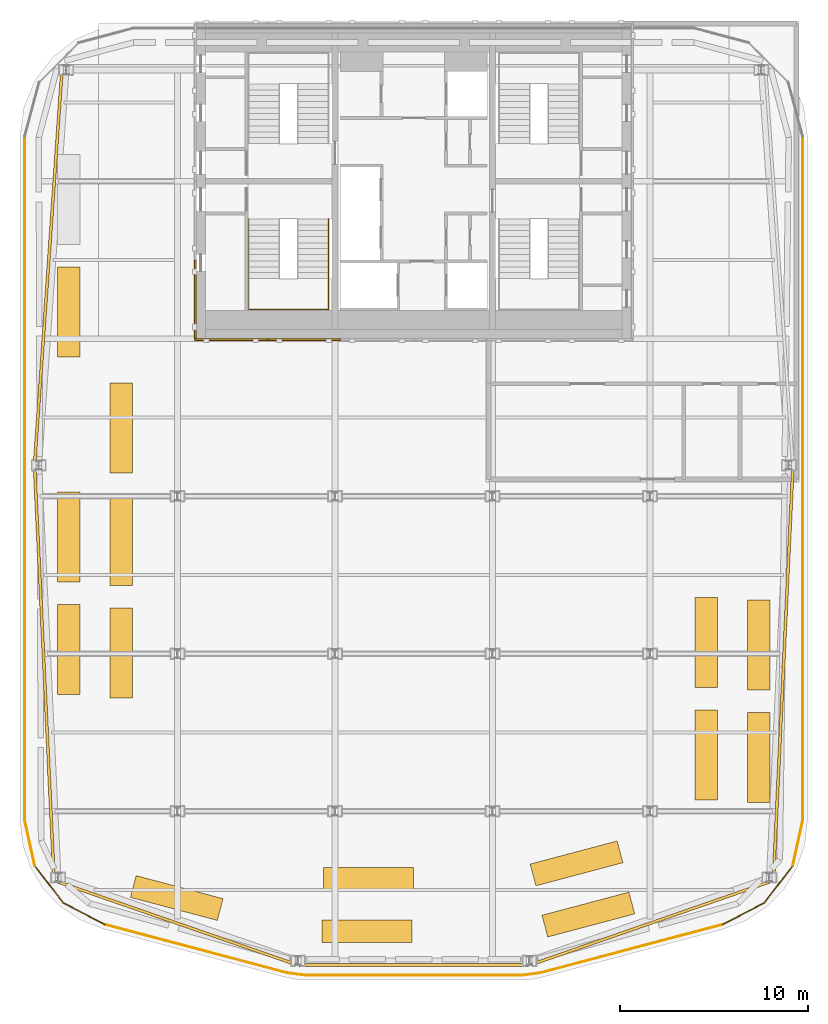
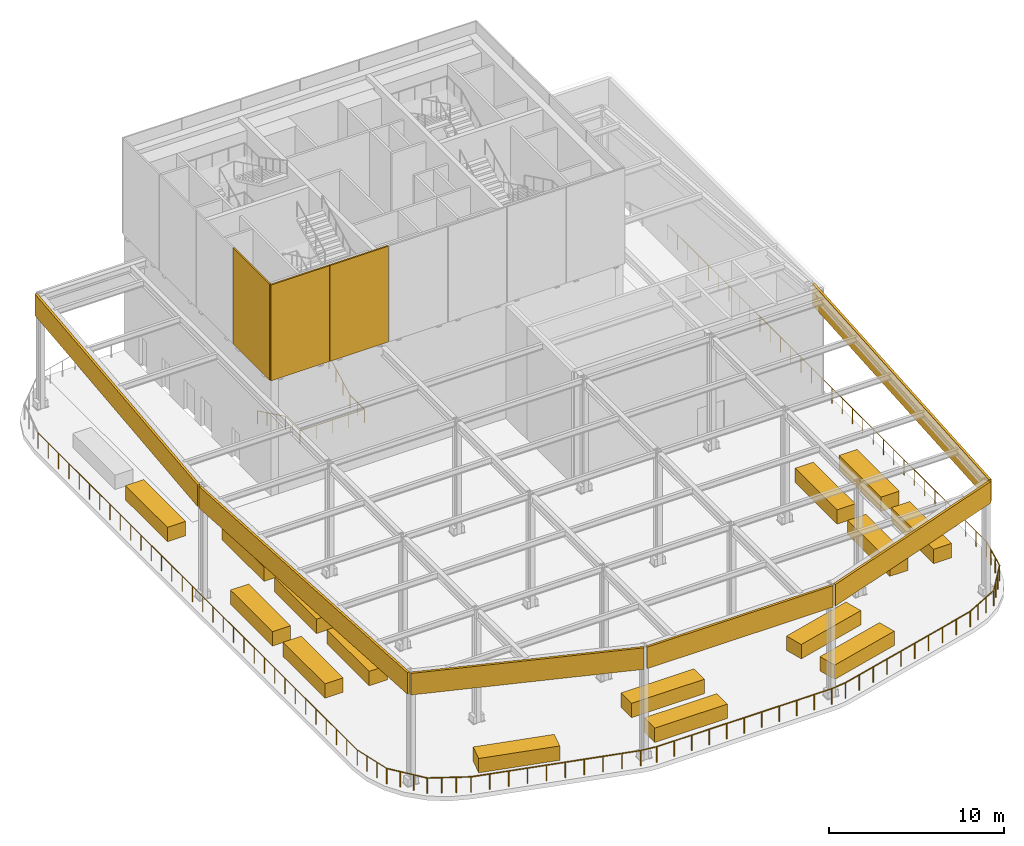
# One storey, part 10 of 14: 18 coverings, 14 railings, 6 shading devices.
"""IFC4 building model written with IfcOpenShell, lengths in metres."""

from ifc_helpers import new_model, si_unit, direction, frame, origin, origin_2d, place, context, subcontext, project, spatial, rectangle, circle, extrude, material, layer, layer_set, type_object, element, save


model = new_model("IFC4")

# Units and contexts
model_context = context("Model", 3, precision=1e-05, world=origin(), true_north=direction((0.0, 1.0)))
body_context = subcontext(model_context, "Body", "Model", "MODEL_VIEW")
ifc_project = project(units=[si_unit("LENGTHUNIT", "METRE"), si_unit("AREAUNIT", "SQUARE_METRE"), si_unit("VOLUMEUNIT", "CUBIC_METRE"), si_unit("PLANEANGLEUNIT", "RADIAN"), si_unit("MASSUNIT", "GRAM", prefix="KILO")], contexts=[model_context])

# Site, building, storey
site_placement = place(None, origin())
site = spatial("IfcSite", under=ifc_project, at=site_placement, CompositionType="ELEMENT")
building_placement = place(site_placement, origin())
building = spatial("IfcBuilding", under=site, at=building_placement, Name="Marenta Gate Hotel Tower", CompositionType="ELEMENT")
storey_placement = place(building_placement, frame((0.0, 0.0, 295.699951171875)))
storey = spatial("IfcBuildingStorey", under=building, at=storey_placement, Name="L67", CompositionType="ELEMENT", Elevation=295.699951171875)

# Railing
ifc_material_1 = material(Name="Stainless steel", Category="steel")
railing_type_1 = type_object("IfcRailingType", Name="Core stair handrail 950", PredefinedType="HANDRAIL", material=ifc_material_1)
railing_1_placement = place(storey_placement, frame((-8.800048828125, 6.39990234375, 0.15576171875)))
element("IfcRailing", 1, at=railing_1_placement, inside=storey, type_object=railing_type_1, Name="HR-950 L67-KR-ST1-1", PredefinedType="HANDRAIL", context=body_context, shape_type="SweptSolid", body=[
    extrude(circle(Radius=0.02392578125, at=origin_2d()), frame((0.0, 0.0, 0.92578125), z_axis=(0.0, -0.899218311435, 0.437500203862), x_axis=(1.0, 0.0, 0.0)), (0.0, 0.0, 1.0), 3.55859375),
    extrude(circle(Radius=0.02392578125, at=origin_2d()), frame((0.0, -3.199951171875, 2.48291015625), z_axis=(0.0, -1.0, 0.0), x_axis=(1.0, 0.0, 0.0)), (0.0, 0.0, 1.0), 1.64990234375),
    extrude(circle(Radius=0.02392578125, at=origin_2d()), frame((0.0, -4.849853515625, 2.48291015625), z_axis=(1.0, 0.0, 0.0), x_axis=(0.0, 1.0, 0.0)), (0.0, 0.0, 1.0), 4.25),
    extrude(circle(Radius=0.02392578125, at=origin_2d()), frame((4.25, -4.849853515625, 2.48291015625), z_axis=(0.0, 1.0, 0.0), x_axis=(-1.0, 0.0, 0.0)), (0.0, 0.0, 1.0), 1.64990234375),
    extrude(circle(Radius=0.02392578125, at=origin_2d()), frame((4.25, -3.199951171875, 2.48291015625), z_axis=(0.0, 0.881692887283, 0.471823751537), x_axis=(-1.0, 0.0, 0.0)), (0.0, 0.0, 1.0), 3.62939453125),
    extrude(circle(Radius=0.02099609375, at=origin_2d()), origin(), (0.0, 0.0, 1.0), 0.90185546875),
    extrude(circle(Radius=0.02099609375, at=origin_2d()), frame((0.0, -1.066650390625, 0.51904296875)), (0.0, 0.0, 1.0), 0.90185546875),
    extrude(circle(Radius=0.02099609375, at=origin_2d()), frame((0.0, -2.13330078125, 1.037841796875)), (0.0, 0.0, 1.0), 0.90185546875),
    extrude(circle(Radius=0.02099609375, at=origin_2d()), frame((0.0, -3.199951171875, 1.556884765625)), (0.0, 0.0, 1.0), 0.90185546875),
    extrude(circle(Radius=0.02099609375, at=origin_2d()), frame((0.0, -4.02490234375, 1.556884765625)), (0.0, 0.0, 1.0), 0.90185546875),
    extrude(circle(Radius=0.02099609375, at=origin_2d()), frame((0.0, -4.849853515625, 1.556884765625)), (0.0, 0.0, 1.0), 0.90185546875),
    extrude(circle(Radius=0.02099609375, at=origin_2d()), frame((1.0625, -4.849853515625, 1.556884765625)), (0.0, 0.0, 1.0), 0.90185546875),
    extrude(circle(Radius=0.02099609375, at=origin_2d()), frame((2.125, -4.849853515625, 1.556884765625)), (0.0, 0.0, 1.0), 0.90185546875),
    extrude(circle(Radius=0.02099609375, at=origin_2d()), frame((3.1875, -4.849853515625, 1.556884765625)), (0.0, 0.0, 1.0), 0.90185546875),
    extrude(circle(Radius=0.02099609375, at=origin_2d()), frame((4.25, -4.849853515625, 1.556884765625)), (0.0, 0.0, 1.0), 0.90185546875),
    extrude(circle(Radius=0.02099609375, at=origin_2d()), frame((4.25, -4.02490234375, 1.556884765625)), (0.0, 0.0, 1.0), 0.90185546875),
    extrude(circle(Radius=0.02099609375, at=origin_2d()), frame((4.25, -3.199951171875, 1.556884765625)), (0.0, 0.0, 1.0), 0.90185546875),
    extrude(circle(Radius=0.02099609375, at=origin_2d()), frame((4.25, -2.39990234375, 1.98486328125)), (0.0, 0.0, 1.0), 0.90185546875),
    extrude(circle(Radius=0.02099609375, at=origin_2d()), frame((4.25, -1.60009765625, 2.4130859375)), (0.0, 0.0, 1.0), 0.90185546875),
    extrude(circle(Radius=0.02099609375, at=origin_2d()), frame((4.25, -0.800048828125, 2.84130859375)), (0.0, 0.0, 1.0), 0.90185546875),
    extrude(circle(Radius=0.02099609375, at=origin_2d()), frame((4.25, 0.0, 3.269287109375)), (0.0, 0.0, 1.0), 0.90185546875),
])

# Coverings
ifc_material_2 = material(Name="Bronze anodised aluminium louvre", Category="aluminium")
ifc_layer_1 = layer(ifc_material_2, 0.10009765625)
ifc_layer_set_1 = layer_set([ifc_layer_1], Name="Bronze anodised aluminium louvre")
covering_type_1 = type_object("IfcCoveringType", Name="Core top louvre cladding panel 100 mm", PredefinedType="CLADDING", material=ifc_layer_set_1)
covering_placement = place(storey_placement, frame((-11.64990234375, 2.10009765625, 8.1201171875), z_axis=(0.0, 0.0, 1.0), x_axis=(1.0, 0.0, 0.0)))
element("IfcCovering", 2, at=covering_placement, inside=storey, type_object=covering_type_1, Name="Core top louvre cladding", PredefinedType="CLADDING", context=body_context, shape_type="SweptSolid", body=[
    extrude(rectangle(XDim=0.10009765625, YDim=4.14990234375, at=origin_2d()), origin(), (0.0, 0.0, 1.0), 6.679931640625),
])
for number, where, z_axis, x_axis, name in (
    (3, (-9.75, -0.050048828125, 8.1201171875), (0.0, 0.0, 1.0), (1.0, 0.0, 0.0), "Core top louvre cladding"),
    (4, (-5.85009765625, -0.050048828125, 8.1201171875), (0.0, 0.0, 1.0), (1.0, 0.0, 0.0), "Core top louvre cladding"),
):
    element("IfcCovering", number, at=place(storey_placement, frame(where, z_axis=z_axis, x_axis=x_axis)), inside=storey, type_object=covering_type_1, Name=name, PredefinedType="CLADDING", context=body_context, shape_type="SweptSolid", body=[
        extrude(rectangle(XDim=3.85009765625, YDim=0.10009765625, at=origin_2d()), origin(), (0.0, 0.0, 1.0), 6.679931640625),
    ])

# Shading devices
ifc_material_3 = material(Name="Bronze anodised aluminium screen", Category="aluminium")
ifc_layer_2 = layer(ifc_material_3, 0.14990234375)
ifc_layer_set_2 = layer_set([ifc_layer_2], Name="Bronze anodised aluminium screen")
shading_device_type = type_object("IfcShadingDeviceType", Name="Crown bronze screen 150 mm", PredefinedType="USERDEFINED", material=ifc_layer_set_2)
shading_device_1_placement = place(storey_placement, frame((-12.6923828125, -31.147705078125, 6.35009765625), z_axis=(0.0, 0.0, 1.0), x_axis=(-0.944708222736, 0.327912143561, 0.0)))
element("IfcShadingDevice", 5, at=shading_device_1_placement, inside=storey, type_object=shading_device_type, Name="CS1 Crown bronze screen", ObjectType="SCREEN", PredefinedType="USERDEFINED", context=body_context, shape_type="SweptSolid", body=[
    extrude(rectangle(XDim=13.57568359375, YDim=0.14990234375, at=origin_2d()), origin(), (0.0, 0.0, 1.0), 1.5),
])
shading_device_2_placement = place(storey_placement, frame((-19.702880859375, -17.821533203125, 6.35009765625), z_axis=(0.0, 0.0, 1.0), x_axis=(-0.047120397839, 0.998889217134, 0.0)))
element("IfcShadingDevice", 6, at=shading_device_2_placement, inside=storey, type_object=shading_device_type, Name="CS1 Crown bronze screen", ObjectType="SCREEN", PredefinedType="USERDEFINED", context=body_context, shape_type="SweptSolid", body=[
    extrude(rectangle(XDim=22.0126953125, YDim=0.14990234375, at=origin_2d()), origin(), (0.0, 0.0, 1.0), 1.5),
])
shading_device_3_placement = place(storey_placement, frame((-19.4853515625, 3.906494140625, 6.35009765625), z_axis=(0.0, 0.0, 1.0), x_axis=(0.069288116167, 0.997596690531, 0.0)))
element("IfcShadingDevice", 7, at=shading_device_3_placement, inside=storey, type_object=shading_device_type, Name="CS1 Crown bronze screen", ObjectType="SCREEN", PredefinedType="USERDEFINED", context=body_context, shape_type="SweptSolid", body=[
    extrude(rectangle(XDim=21.19921875, YDim=0.14990234375, at=origin_2d()), origin(), (0.0, 0.0, 1.0), 1.5),
])
shading_device_4_placement = place(storey_placement, frame((19.702880859375, -17.821533203125, 6.35009765625), z_axis=(0.0, 0.0, 1.0), x_axis=(-0.047120397839, -0.998889217134, 0.0)))
element("IfcShadingDevice", 8, at=shading_device_4_placement, inside=storey, type_object=shading_device_type, Name="CS1 Crown bronze screen", ObjectType="SCREEN", PredefinedType="USERDEFINED", context=body_context, shape_type="SweptSolid", body=[
    extrude(rectangle(XDim=22.0126953125, YDim=0.14990234375, at=origin_2d()), origin(), (0.0, 0.0, 1.0), 1.5),
])
shading_device_5_placement = place(storey_placement, frame((12.6923828125, -31.147705078125, 6.35009765625), z_axis=(0.0, 0.0, 1.0), x_axis=(-0.944708222736, -0.327912143561, 0.0)))
element("IfcShadingDevice", 9, at=shading_device_5_placement, inside=storey, type_object=shading_device_type, Name="CS1 Crown bronze screen", ObjectType="SCREEN", PredefinedType="USERDEFINED", context=body_context, shape_type="SweptSolid", body=[
    extrude(rectangle(XDim=13.57568359375, YDim=0.14990234375, at=origin_2d()), origin(), (0.0, 0.0, 1.0), 1.5),
])
shading_device_6_placement = place(storey_placement, frame((0.0, -33.39990234375, 6.35009765625), z_axis=(0.0, 0.0, 1.0), x_axis=(-1.0, 0.0, 0.0)))
element("IfcShadingDevice", 10, at=shading_device_6_placement, inside=storey, type_object=shading_device_type, Name="CS1 Crown bronze screen", ObjectType="SCREEN", PredefinedType="USERDEFINED", context=body_context, shape_type="SweptSolid", body=[
    extrude(rectangle(XDim=12.24853515625, YDim=0.14990234375, at=origin_2d()), origin(), (0.0, 0.0, 1.0), 1.5),
])

# Railings
ifc_material_4 = material(Name="Stainless steel", Category="steel")
railing_type_2 = type_object("IfcRailingType", Name="Guard 1100 stainless balustrade", PredefinedType="GUARDRAIL", material=ifc_material_4)
railing_2_placement = place(storey_placement, frame((-6.747802734375, -33.822509765625, 0.0)))
element("IfcRailing", 11, at=railing_2_placement, inside=storey, type_object=railing_type_2, Name="Garden guard", PredefinedType="GUARDRAIL", context=body_context, shape_type="SweptSolid", body=[
    extrude(circle(Radius=0.02392578125, at=origin_2d()), frame((0.0, 0.0, 1.076171875), z_axis=(0.99160869499, -0.129275659037, 0.0), x_axis=(0.129275659037, 0.99160869499, 0.0)), (0.0, 0.0, 1.0), 0.98583984375),
    extrude(circle(Radius=0.02099609375, at=origin_2d()), origin(), (0.0, 0.0, 1.0), 1.052001953125),
    extrude(circle(Radius=0.02099609375, at=origin_2d()), frame((0.9775390625, -0.12744140625, 0.0)), (0.0, 0.0, 1.0), 1.052001953125),
])
railing_3_placement = place(storey_placement, frame((-5.770263671875, -33.949951171875, 0.0)))
element("IfcRailing", 12, at=railing_3_placement, inside=storey, type_object=railing_type_2, Name="Garden guard", PredefinedType="GUARDRAIL", context=body_context, shape_type="SweptSolid", body=[
    extrude(circle(Radius=0.02392578125, at=origin_2d()), frame((0.0, 0.0, 1.076171875), z_axis=(1.0, 0.0, 0.0), x_axis=(0.0, 1.0, 0.0)), (0.0, 0.0, 1.0), 11.54052734375),
    extrude(circle(Radius=0.02099609375, at=origin_2d()), origin(), (0.0, 0.0, 1.0), 1.052001953125),
    extrude(circle(Radius=0.02099609375, at=origin_2d()), frame((1.154052734375, 0.0, 0.0)), (0.0, 0.0, 1.0), 1.052001953125),
    extrude(circle(Radius=0.02099609375, at=origin_2d()), frame((2.30810546875, 0.0, 0.0)), (0.0, 0.0, 1.0), 1.052001953125),
    extrude(circle(Radius=0.02099609375, at=origin_2d()), frame((3.462158203125, 0.0, 0.0)), (0.0, 0.0, 1.0), 1.052001953125),
    extrude(circle(Radius=0.02099609375, at=origin_2d()), frame((4.6162109375, 0.0, 0.0)), (0.0, 0.0, 1.0), 1.052001953125),
    extrude(circle(Radius=0.02099609375, at=origin_2d()), frame((5.770263671875, 0.0, 0.0)), (0.0, 0.0, 1.0), 1.052001953125),
    extrude(circle(Radius=0.02099609375, at=origin_2d()), frame((6.92431640625, 0.0, 0.0)), (0.0, 0.0, 1.0), 1.052001953125),
    extrude(circle(Radius=0.02099609375, at=origin_2d()), frame((8.078369140625, 0.0, 0.0)), (0.0, 0.0, 1.0), 1.052001953125),
    extrude(circle(Radius=0.02099609375, at=origin_2d()), frame((9.232421875, 0.0, 0.0)), (0.0, 0.0, 1.0), 1.052001953125),
    extrude(circle(Radius=0.02099609375, at=origin_2d()), frame((10.386474609375, 0.0, 0.0)), (0.0, 0.0, 1.0), 1.052001953125),
    extrude(circle(Radius=0.02099609375, at=origin_2d()), frame((11.54052734375, 0.0, 0.0)), (0.0, 0.0, 1.0), 1.052001953125),
])
railing_4_placement = place(storey_placement, frame((5.770263671875, -33.949951171875, 0.0)))
element("IfcRailing", 13, at=railing_4_placement, inside=storey, type_object=railing_type_2, Name="Garden guard", PredefinedType="GUARDRAIL", context=body_context, shape_type="SweptSolid", body=[
    extrude(circle(Radius=0.02392578125, at=origin_2d()), frame((0.0, 0.0, 1.076171875), z_axis=(0.99160869499, 0.129275659037, 0.0), x_axis=(-0.129275659037, 0.99160869499, 0.0)), (0.0, 0.0, 1.0), 0.98583984375),
    extrude(circle(Radius=0.02099609375, at=origin_2d()), origin(), (0.0, 0.0, 1.0), 1.052001953125),
    extrude(circle(Radius=0.02099609375, at=origin_2d()), frame((0.9775390625, 0.12744140625, 0.0)), (0.0, 0.0, 1.0), 1.052001953125),
])
railing_5_placement = place(storey_placement, frame((6.747802734375, -33.822509765625, 0.0)))
element("IfcRailing", 14, at=railing_5_placement, inside=storey, type_object=railing_type_2, Name="Garden guard", PredefinedType="GUARDRAIL", context=body_context, shape_type="SweptSolid", body=[
    extrude(circle(Radius=0.02392578125, at=origin_2d()), frame((0.0, 0.0, 1.076171875), z_axis=(0.966564384235, 0.256424045534, 0.0), x_axis=(-0.256424045534, 0.966564384235, 0.0)), (0.0, 0.0, 1.0), 10.04931640625),
    extrude(circle(Radius=0.02099609375, at=origin_2d()), origin(), (0.0, 0.0, 1.0), 1.052001953125),
    extrude(circle(Radius=0.02099609375, at=origin_2d()), frame((1.079345703125, 0.286376953125, 0.0)), (0.0, 0.0, 1.0), 1.052001953125),
    extrude(circle(Radius=0.02099609375, at=origin_2d()), frame((2.158447265625, 0.57275390625, 0.0)), (0.0, 0.0, 1.0), 1.052001953125),
    extrude(circle(Radius=0.02099609375, at=origin_2d()), frame((3.23779296875, 0.85888671875, 0.0)), (0.0, 0.0, 1.0), 1.052001953125),
    extrude(circle(Radius=0.02099609375, at=origin_2d()), frame((4.317138671875, 1.145263671875, 0.0)), (0.0, 0.0, 1.0), 1.052001953125),
    extrude(circle(Radius=0.02099609375, at=origin_2d()), frame((5.396240234375, 1.431640625, 0.0)), (0.0, 0.0, 1.0), 1.052001953125),
    extrude(circle(Radius=0.02099609375, at=origin_2d()), frame((6.4755859375, 1.718017578125, 0.0)), (0.0, 0.0, 1.0), 1.052001953125),
    extrude(circle(Radius=0.02099609375, at=origin_2d()), frame((7.554931640625, 2.004150390625, 0.0)), (0.0, 0.0, 1.0), 1.052001953125),
    extrude(circle(Radius=0.02099609375, at=origin_2d()), frame((8.634033203125, 2.29052734375, 0.0)), (0.0, 0.0, 1.0), 1.052001953125),
    extrude(circle(Radius=0.02099609375, at=origin_2d()), frame((9.71337890625, 2.576904296875, 0.0)), (0.0, 0.0, 1.0), 1.052001953125),
])
railing_6_placement = place(storey_placement, frame((16.461181640625, -31.24560546875, 0.0)))
element("IfcRailing", 15, at=railing_6_placement, inside=storey, type_object=railing_type_2, Name="Garden guard", PredefinedType="GUARDRAIL", context=body_context, shape_type="SweptSolid", body=[
    extrude(circle(Radius=0.02392578125, at=origin_2d()), frame((0.0, 0.0, 1.076171875), z_axis=(0.888247788543, 0.459364633106, 0.0), x_axis=(-0.459364633106, 0.888247788543, 0.0)), (0.0, 0.0, 1.0), 2.507080078125),
    extrude(circle(Radius=0.02099609375, at=origin_2d()), origin(), (0.0, 0.0, 1.0), 1.052001953125),
    extrude(circle(Radius=0.02099609375, at=origin_2d()), frame((0.7421875, 0.3837890625, 0.0)), (0.0, 0.0, 1.0), 1.052001953125),
    extrude(circle(Radius=0.02099609375, at=origin_2d()), frame((1.484619140625, 0.767822265625, 0.0)), (0.0, 0.0, 1.0), 1.052001953125),
    extrude(circle(Radius=0.02099609375, at=origin_2d()), frame((2.226806640625, 1.151611328125, 0.0)), (0.0, 0.0, 1.0), 1.052001953125),
])
railing_7_placement = place(storey_placement, frame((18.68798828125, -30.093994140625, 0.0)))
element("IfcRailing", 16, at=railing_7_placement, inside=storey, type_object=railing_type_2, Name="Garden guard", PredefinedType="GUARDRAIL", context=body_context, shape_type="SweptSolid", body=[
    extrude(circle(Radius=0.02392578125, at=origin_2d()), frame((0.0, 0.0, 1.076171875), z_axis=(0.609701295622, 0.792631269959, 0.0), x_axis=(-0.792631269959, 0.609701295622, 0.0)), (0.0, 0.0, 1.0), 2.4931640625),
    extrude(circle(Radius=0.02099609375, at=origin_2d()), origin(), (0.0, 0.0, 1.0), 1.052001953125),
    extrude(circle(Radius=0.02099609375, at=origin_2d()), frame((0.506591796875, 0.65869140625, 0.0)), (0.0, 0.0, 1.0), 1.052001953125),
    extrude(circle(Radius=0.02099609375, at=origin_2d()), frame((1.013427734375, 1.3173828125, 0.0)), (0.0, 0.0, 1.0), 1.052001953125),
    extrude(circle(Radius=0.02099609375, at=origin_2d()), frame((1.52001953125, 1.97607421875, 0.0)), (0.0, 0.0, 1.0), 1.052001953125),
])
railing_8_placement = place(storey_placement, frame((20.2080078125, -28.117919921875, 0.0)))
element("IfcRailing", 17, at=railing_8_placement, inside=storey, type_object=railing_type_2, Name="Garden guard", PredefinedType="GUARDRAIL", context=body_context, shape_type="SweptSolid", body=[
    extrude(circle(Radius=0.02392578125, at=origin_2d()), frame((0.0, 0.0, 1.076171875), z_axis=(0.216229118215, 0.976342649092, 0.0), x_axis=(-0.976342649092, 0.216229118215, 0.0)), (0.0, 0.0, 1.0), 2.506591796875),
    extrude(circle(Radius=0.02099609375, at=origin_2d()), origin(), (0.0, 0.0, 1.0), 1.052001953125),
    extrude(circle(Radius=0.02099609375, at=origin_2d()), frame((0.1806640625, 0.815673828125, 0.0)), (0.0, 0.0, 1.0), 1.052001953125),
    extrude(circle(Radius=0.02099609375, at=origin_2d()), frame((0.361328125, 1.631591796875, 0.0)), (0.0, 0.0, 1.0), 1.052001953125),
    extrude(circle(Radius=0.02099609375, at=origin_2d()), frame((0.5419921875, 2.447265625, 0.0)), (0.0, 0.0, 1.0), 1.052001953125),
])
railing_9_placement = place(storey_placement, frame((20.75, -25.670654296875, 0.0)))
element("IfcRailing", 18, at=railing_9_placement, inside=storey, type_object=railing_type_2, Name="Garden guard", PredefinedType="GUARDRAIL", context=body_context, shape_type="SweptSolid", body=[
    extrude(circle(Radius=0.02392578125, at=origin_2d()), frame((0.0, 0.0, 1.076171875), z_axis=(0.0, 1.0, 0.0), x_axis=(-1.0, 0.0, 0.0)), (0.0, 0.0, 1.0), 36.454345703125),
    extrude(circle(Radius=0.02099609375, at=origin_2d()), origin(), (0.0, 0.0, 1.0), 1.052001953125),
    extrude(circle(Radius=0.02099609375, at=origin_2d()), frame((0.0, 1.176025390625, 0.0)), (0.0, 0.0, 1.0), 1.052001953125),
    extrude(circle(Radius=0.02099609375, at=origin_2d()), frame((0.0, 2.351806640625, 0.0)), (0.0, 0.0, 1.0), 1.052001953125),
    extrude(circle(Radius=0.02099609375, at=origin_2d()), frame((0.0, 3.52783203125, 0.0)), (0.0, 0.0, 1.0), 1.052001953125),
    extrude(circle(Radius=0.02099609375, at=origin_2d()), frame((0.0, 4.703857421875, 0.0)), (0.0, 0.0, 1.0), 1.052001953125),
    extrude(circle(Radius=0.02099609375, at=origin_2d()), frame((0.0, 5.879638671875, 0.0)), (0.0, 0.0, 1.0), 1.052001953125),
    extrude(circle(Radius=0.02099609375, at=origin_2d()), frame((0.0, 7.0556640625, 0.0)), (0.0, 0.0, 1.0), 1.052001953125),
    extrude(circle(Radius=0.02099609375, at=origin_2d()), frame((0.0, 8.231689453125, 0.0)), (0.0, 0.0, 1.0), 1.052001953125),
    extrude(circle(Radius=0.02099609375, at=origin_2d()), frame((0.0, 9.407470703125, 0.0)), (0.0, 0.0, 1.0), 1.052001953125),
    extrude(circle(Radius=0.02099609375, at=origin_2d()), frame((0.0, 10.58349609375, 0.0)), (0.0, 0.0, 1.0), 1.052001953125),
    extrude(circle(Radius=0.02099609375, at=origin_2d()), frame((0.0, 11.759521484375, 0.0)), (0.0, 0.0, 1.0), 1.052001953125),
    extrude(circle(Radius=0.02099609375, at=origin_2d()), frame((0.0, 12.935302734375, 0.0)), (0.0, 0.0, 1.0), 1.052001953125),
    extrude(circle(Radius=0.02099609375, at=origin_2d()), frame((0.0, 14.111328125, 0.0)), (0.0, 0.0, 1.0), 1.052001953125),
    extrude(circle(Radius=0.02099609375, at=origin_2d()), frame((0.0, 15.287353515625, 0.0)), (0.0, 0.0, 1.0), 1.052001953125),
    extrude(circle(Radius=0.02099609375, at=origin_2d()), frame((0.0, 16.463134765625, 0.0)), (0.0, 0.0, 1.0), 1.052001953125),
    extrude(circle(Radius=0.02099609375, at=origin_2d()), frame((0.0, 17.63916015625, 0.0)), (0.0, 0.0, 1.0), 1.052001953125),
    extrude(circle(Radius=0.02099609375, at=origin_2d()), frame((0.0, 18.815185546875, 0.0)), (0.0, 0.0, 1.0), 1.052001953125),
    extrude(circle(Radius=0.02099609375, at=origin_2d()), frame((0.0, 19.9912109375, 0.0)), (0.0, 0.0, 1.0), 1.052001953125),
    extrude(circle(Radius=0.02099609375, at=origin_2d()), frame((0.0, 21.1669921875, 0.0)), (0.0, 0.0, 1.0), 1.052001953125),
    extrude(circle(Radius=0.02099609375, at=origin_2d()), frame((0.0, 22.343017578125, 0.0)), (0.0, 0.0, 1.0), 1.052001953125),
    extrude(circle(Radius=0.02099609375, at=origin_2d()), frame((0.0, 23.51904296875, 0.0)), (0.0, 0.0, 1.0), 1.052001953125),
    extrude(circle(Radius=0.02099609375, at=origin_2d()), frame((0.0, 24.69482421875, 0.0)), (0.0, 0.0, 1.0), 1.052001953125),
    extrude(circle(Radius=0.02099609375, at=origin_2d()), frame((0.0, 25.870849609375, 0.0)), (0.0, 0.0, 1.0), 1.052001953125),
    extrude(circle(Radius=0.02099609375, at=origin_2d()), frame((0.0, 27.046875, 0.0)), (0.0, 0.0, 1.0), 1.052001953125),
    extrude(circle(Radius=0.02099609375, at=origin_2d()), frame((0.0, 28.22265625, 0.0)), (0.0, 0.0, 1.0), 1.052001953125),
    extrude(circle(Radius=0.02099609375, at=origin_2d()), frame((0.0, 29.398681640625, 0.0)), (0.0, 0.0, 1.0), 1.052001953125),
    extrude(circle(Radius=0.02099609375, at=origin_2d()), frame((0.0, 30.57470703125, 0.0)), (0.0, 0.0, 1.0), 1.052001953125),
    extrude(circle(Radius=0.02099609375, at=origin_2d()), frame((0.0, 31.75048828125, 0.0)), (0.0, 0.0, 1.0), 1.052001953125),
    extrude(circle(Radius=0.02099609375, at=origin_2d()), frame((0.0, 32.926513671875, 0.0)), (0.0, 0.0, 1.0), 1.052001953125),
    extrude(circle(Radius=0.02099609375, at=origin_2d()), frame((0.0, 34.1025390625, 0.0)), (0.0, 0.0, 1.0), 1.052001953125),
    extrude(circle(Radius=0.02099609375, at=origin_2d()), frame((0.0, 35.2783203125, 0.0)), (0.0, 0.0, 1.0), 1.052001953125),
    extrude(circle(Radius=0.02099609375, at=origin_2d()), frame((0.0, 36.454345703125, 0.0)), (0.0, 0.0, 1.0), 1.052001953125),
])
railing_10_placement = place(storey_placement, frame((-20.75, 10.78369140625, 0.0)))
element("IfcRailing", 19, at=railing_10_placement, inside=storey, type_object=railing_type_2, Name="Garden guard", PredefinedType="GUARDRAIL", context=body_context, shape_type="SweptSolid", body=[
    extrude(circle(Radius=0.02392578125, at=origin_2d()), frame((0.0, 0.0, 1.076171875), z_axis=(0.0, -1.0, 0.0), x_axis=(1.0, 0.0, 0.0)), (0.0, 0.0, 1.0), 36.454345703125),
    extrude(circle(Radius=0.02099609375, at=origin_2d()), origin(), (0.0, 0.0, 1.0), 1.052001953125),
    extrude(circle(Radius=0.02099609375, at=origin_2d()), frame((0.0, -1.176025390625, 0.0)), (0.0, 0.0, 1.0), 1.052001953125),
    extrude(circle(Radius=0.02099609375, at=origin_2d()), frame((0.0, -2.351806640625, 0.0)), (0.0, 0.0, 1.0), 1.052001953125),
    extrude(circle(Radius=0.02099609375, at=origin_2d()), frame((0.0, -3.52783203125, 0.0)), (0.0, 0.0, 1.0), 1.052001953125),
    extrude(circle(Radius=0.02099609375, at=origin_2d()), frame((0.0, -4.703857421875, 0.0)), (0.0, 0.0, 1.0), 1.052001953125),
    extrude(circle(Radius=0.02099609375, at=origin_2d()), frame((0.0, -5.879638671875, 0.0)), (0.0, 0.0, 1.0), 1.052001953125),
    extrude(circle(Radius=0.02099609375, at=origin_2d()), frame((0.0, -7.0556640625, 0.0)), (0.0, 0.0, 1.0), 1.052001953125),
    extrude(circle(Radius=0.02099609375, at=origin_2d()), frame((0.0, -8.231689453125, 0.0)), (0.0, 0.0, 1.0), 1.052001953125),
    extrude(circle(Radius=0.02099609375, at=origin_2d()), frame((0.0, -9.407470703125, 0.0)), (0.0, 0.0, 1.0), 1.052001953125),
    extrude(circle(Radius=0.02099609375, at=origin_2d()), frame((0.0, -10.58349609375, 0.0)), (0.0, 0.0, 1.0), 1.052001953125),
    extrude(circle(Radius=0.02099609375, at=origin_2d()), frame((0.0, -11.759521484375, 0.0)), (0.0, 0.0, 1.0), 1.052001953125),
    extrude(circle(Radius=0.02099609375, at=origin_2d()), frame((0.0, -12.935302734375, 0.0)), (0.0, 0.0, 1.0), 1.052001953125),
    extrude(circle(Radius=0.02099609375, at=origin_2d()), frame((0.0, -14.111328125, 0.0)), (0.0, 0.0, 1.0), 1.052001953125),
    extrude(circle(Radius=0.02099609375, at=origin_2d()), frame((0.0, -15.287353515625, 0.0)), (0.0, 0.0, 1.0), 1.052001953125),
    extrude(circle(Radius=0.02099609375, at=origin_2d()), frame((0.0, -16.463134765625, 0.0)), (0.0, 0.0, 1.0), 1.052001953125),
    extrude(circle(Radius=0.02099609375, at=origin_2d()), frame((0.0, -17.63916015625, 0.0)), (0.0, 0.0, 1.0), 1.052001953125),
    extrude(circle(Radius=0.02099609375, at=origin_2d()), frame((0.0, -18.815185546875, 0.0)), (0.0, 0.0, 1.0), 1.052001953125),
    extrude(circle(Radius=0.02099609375, at=origin_2d()), frame((0.0, -19.9912109375, 0.0)), (0.0, 0.0, 1.0), 1.052001953125),
    extrude(circle(Radius=0.02099609375, at=origin_2d()), frame((0.0, -21.1669921875, 0.0)), (0.0, 0.0, 1.0), 1.052001953125),
    extrude(circle(Radius=0.02099609375, at=origin_2d()), frame((0.0, -22.343017578125, 0.0)), (0.0, 0.0, 1.0), 1.052001953125),
    extrude(circle(Radius=0.02099609375, at=origin_2d()), frame((0.0, -23.51904296875, 0.0)), (0.0, 0.0, 1.0), 1.052001953125),
    extrude(circle(Radius=0.02099609375, at=origin_2d()), frame((0.0, -24.69482421875, 0.0)), (0.0, 0.0, 1.0), 1.052001953125),
    extrude(circle(Radius=0.02099609375, at=origin_2d()), frame((0.0, -25.870849609375, 0.0)), (0.0, 0.0, 1.0), 1.052001953125),
    extrude(circle(Radius=0.02099609375, at=origin_2d()), frame((0.0, -27.046875, 0.0)), (0.0, 0.0, 1.0), 1.052001953125),
    extrude(circle(Radius=0.02099609375, at=origin_2d()), frame((0.0, -28.22265625, 0.0)), (0.0, 0.0, 1.0), 1.052001953125),
    extrude(circle(Radius=0.02099609375, at=origin_2d()), frame((0.0, -29.398681640625, 0.0)), (0.0, 0.0, 1.0), 1.052001953125),
    extrude(circle(Radius=0.02099609375, at=origin_2d()), frame((0.0, -30.57470703125, 0.0)), (0.0, 0.0, 1.0), 1.052001953125),
    extrude(circle(Radius=0.02099609375, at=origin_2d()), frame((0.0, -31.75048828125, 0.0)), (0.0, 0.0, 1.0), 1.052001953125),
    extrude(circle(Radius=0.02099609375, at=origin_2d()), frame((0.0, -32.926513671875, 0.0)), (0.0, 0.0, 1.0), 1.052001953125),
    extrude(circle(Radius=0.02099609375, at=origin_2d()), frame((0.0, -34.1025390625, 0.0)), (0.0, 0.0, 1.0), 1.052001953125),
    extrude(circle(Radius=0.02099609375, at=origin_2d()), frame((0.0, -35.2783203125, 0.0)), (0.0, 0.0, 1.0), 1.052001953125),
    extrude(circle(Radius=0.02099609375, at=origin_2d()), frame((0.0, -36.454345703125, 0.0)), (0.0, 0.0, 1.0), 1.052001953125),
])
railing_11_placement = place(storey_placement, frame((-20.75, -25.670654296875, 0.0)))
element("IfcRailing", 20, at=railing_11_placement, inside=storey, type_object=railing_type_2, Name="Garden guard", PredefinedType="GUARDRAIL", context=body_context, shape_type="SweptSolid", body=[
    extrude(circle(Radius=0.02392578125, at=origin_2d()), frame((0.0, 0.0, 1.076171875), z_axis=(0.216229118215, -0.976342649092, 0.0), x_axis=(0.976342649092, 0.216229118215, 0.0)), (0.0, 0.0, 1.0), 2.506591796875),
    extrude(circle(Radius=0.02099609375, at=origin_2d()), origin(), (0.0, 0.0, 1.0), 1.052001953125),
    extrude(circle(Radius=0.02099609375, at=origin_2d()), frame((0.1806640625, -0.815673828125, 0.0)), (0.0, 0.0, 1.0), 1.052001953125),
    extrude(circle(Radius=0.02099609375, at=origin_2d()), frame((0.361328125, -1.631591796875, 0.0)), (0.0, 0.0, 1.0), 1.052001953125),
    extrude(circle(Radius=0.02099609375, at=origin_2d()), frame((0.5419921875, -2.447265625, 0.0)), (0.0, 0.0, 1.0), 1.052001953125),
])
railing_12_placement = place(storey_placement, frame((-20.2080078125, -28.117919921875, 0.0)))
element("IfcRailing", 21, at=railing_12_placement, inside=storey, type_object=railing_type_2, Name="Garden guard", PredefinedType="GUARDRAIL", context=body_context, shape_type="SweptSolid", body=[
    extrude(circle(Radius=0.02392578125, at=origin_2d()), frame((0.0, 0.0, 1.076171875), z_axis=(0.609701295622, -0.792631269959, 0.0), x_axis=(0.792631269959, 0.609701295622, 0.0)), (0.0, 0.0, 1.0), 2.4931640625),
    extrude(circle(Radius=0.02099609375, at=origin_2d()), origin(), (0.0, 0.0, 1.0), 1.052001953125),
    extrude(circle(Radius=0.02099609375, at=origin_2d()), frame((0.506591796875, -0.65869140625, 0.0)), (0.0, 0.0, 1.0), 1.052001953125),
    extrude(circle(Radius=0.02099609375, at=origin_2d()), frame((1.013427734375, -1.3173828125, 0.0)), (0.0, 0.0, 1.0), 1.052001953125),
    extrude(circle(Radius=0.02099609375, at=origin_2d()), frame((1.52001953125, -1.97607421875, 0.0)), (0.0, 0.0, 1.0), 1.052001953125),
])
railing_13_placement = place(storey_placement, frame((-18.68798828125, -30.093994140625, 0.0)))
element("IfcRailing", 22, at=railing_13_placement, inside=storey, type_object=railing_type_2, Name="Garden guard", PredefinedType="GUARDRAIL", context=body_context, shape_type="SweptSolid", body=[
    extrude(circle(Radius=0.02392578125, at=origin_2d()), frame((0.0, 0.0, 1.076171875), z_axis=(0.888247788543, -0.459364633106, 0.0), x_axis=(0.459364633106, 0.888247788543, 0.0)), (0.0, 0.0, 1.0), 2.507080078125),
    extrude(circle(Radius=0.02099609375, at=origin_2d()), origin(), (0.0, 0.0, 1.0), 1.052001953125),
    extrude(circle(Radius=0.02099609375, at=origin_2d()), frame((0.7421875, -0.3837890625, 0.0)), (0.0, 0.0, 1.0), 1.052001953125),
    extrude(circle(Radius=0.02099609375, at=origin_2d()), frame((1.484619140625, -0.767822265625, 0.0)), (0.0, 0.0, 1.0), 1.052001953125),
    extrude(circle(Radius=0.02099609375, at=origin_2d()), frame((2.226806640625, -1.151611328125, 0.0)), (0.0, 0.0, 1.0), 1.052001953125),
])
railing_14_placement = place(storey_placement, frame((-16.461181640625, -31.24560546875, 0.0)))
element("IfcRailing", 23, at=railing_14_placement, inside=storey, type_object=railing_type_2, Name="Garden guard", PredefinedType="GUARDRAIL", context=body_context, shape_type="SweptSolid", body=[
    extrude(circle(Radius=0.02392578125, at=origin_2d()), frame((0.0, 0.0, 1.076171875), z_axis=(0.966564384235, -0.256424045534, 0.0), x_axis=(0.256424045534, 0.966564384235, 0.0)), (0.0, 0.0, 1.0), 10.04931640625),
    extrude(circle(Radius=0.02099609375, at=origin_2d()), origin(), (0.0, 0.0, 1.0), 1.052001953125),
    extrude(circle(Radius=0.02099609375, at=origin_2d()), frame((1.079345703125, -0.286376953125, 0.0)), (0.0, 0.0, 1.0), 1.052001953125),
    extrude(circle(Radius=0.02099609375, at=origin_2d()), frame((2.158447265625, -0.57275390625, 0.0)), (0.0, 0.0, 1.0), 1.052001953125),
    extrude(circle(Radius=0.02099609375, at=origin_2d()), frame((3.23779296875, -0.85888671875, 0.0)), (0.0, 0.0, 1.0), 1.052001953125),
    extrude(circle(Radius=0.02099609375, at=origin_2d()), frame((4.317138671875, -1.145263671875, 0.0)), (0.0, 0.0, 1.0), 1.052001953125),
    extrude(circle(Radius=0.02099609375, at=origin_2d()), frame((5.396240234375, -1.431640625, 0.0)), (0.0, 0.0, 1.0), 1.052001953125),
    extrude(circle(Radius=0.02099609375, at=origin_2d()), frame((6.4755859375, -1.718017578125, 0.0)), (0.0, 0.0, 1.0), 1.052001953125),
    extrude(circle(Radius=0.02099609375, at=origin_2d()), frame((7.554931640625, -2.004150390625, 0.0)), (0.0, 0.0, 1.0), 1.052001953125),
    extrude(circle(Radius=0.02099609375, at=origin_2d()), frame((8.634033203125, -2.29052734375, 0.0)), (0.0, 0.0, 1.0), 1.052001953125),
    extrude(circle(Radius=0.02099609375, at=origin_2d()), frame((9.71337890625, -2.576904296875, 0.0)), (0.0, 0.0, 1.0), 1.052001953125),
])

# Coverings
ifc_material_5 = material(Name="Concrete and soil", Category="concrete")
covering_type_2 = type_object("IfcCoveringType", Name="Planter 900 mm soil depth", PredefinedType="USERDEFINED", material=ifc_material_5)
for number, where, z_axis, x_axis, name in (
    (24, (-2.493896484375, -31.60009765625, 0.0), (0.0, 0.0, 1.0), (1.0, 0.0, 0.0), "Planter"),
    (25, (9.311767578125, -30.7109375, 0.0), (0.0, 0.0, 1.0), (0.966562070086, 0.256432768324, 0.0), "Planter"),
    (26, (18.39990234375, -22.342041015625, 0.0), (0.0, 0.0, 1.0), (0.0, 1.0, 0.0), "Planter"),
    (27, (18.39990234375, -16.342041015625, 0.0), (0.0, 0.0, 1.0), (0.0, 1.0, 0.0), "Planter"),
    (28, (-18.39990234375, 1.4296875, 0.0), (0.0, 0.0, 1.0), (0.0, -1.0, 0.0), "Planter"),
    (29, (-18.39990234375, -10.5703125, 0.0), (0.0, 0.0, 1.0), (0.0, -1.0, 0.0), "Planter"),
    (30, (-18.39990234375, -16.5703125, 0.0), (0.0, 0.0, 1.0), (0.0, -1.0, 0.0), "Planter"),
    (31, (-12.641357421875, -29.82763671875, 0.0), (0.0, 0.0, 1.0), (0.966562070086, -0.256432768324, 0.0), "Planter"),
    (32, (-2.4033203125, -28.800048828125, 0.0), (0.0, 0.0, 1.0), (1.0, 0.0, 0.0), "Planter"),
    (33, (8.681396484375, -27.981201171875, 0.0), (0.0, 0.0, 1.0), (0.966562070086, 0.256432768324, 0.0), "Planter"),
    (34, (15.60009765625, -22.188720703125, 0.0), (0.0, 0.0, 1.0), (0.0, 1.0, 0.0), "Planter"),
    (35, (15.60009765625, -16.188720703125, 0.0), (0.0, 0.0, 1.0), (0.0, 1.0, 0.0), "Planter"),
    (36, (-15.60009765625, -4.75390625, 0.0), (0.0, 0.0, 1.0), (0.0, -1.0, 0.0), "Planter"),
    (37, (-15.60009765625, -10.75390625, 0.0), (0.0, 0.0, 1.0), (0.0, -1.0, 0.0), "Planter"),
    (38, (-15.60009765625, -16.75390625, 0.0), (0.0, 0.0, 1.0), (0.0, -1.0, 0.0), "Planter"),
):
    element("IfcCovering", number, at=place(storey_placement, frame(where, z_axis=z_axis, x_axis=x_axis)), inside=storey, type_object=covering_type_2, Name=name, ObjectType="PLANTER", PredefinedType="USERDEFINED", context=body_context, shape_type="SweptSolid", body=[
        extrude(rectangle(XDim=4.800048828125, YDim=1.199951171875, at=origin_2d()), origin(), (0.0, 0.0, 1.0), 1.0),
    ])

save(model, "model.ifc")
